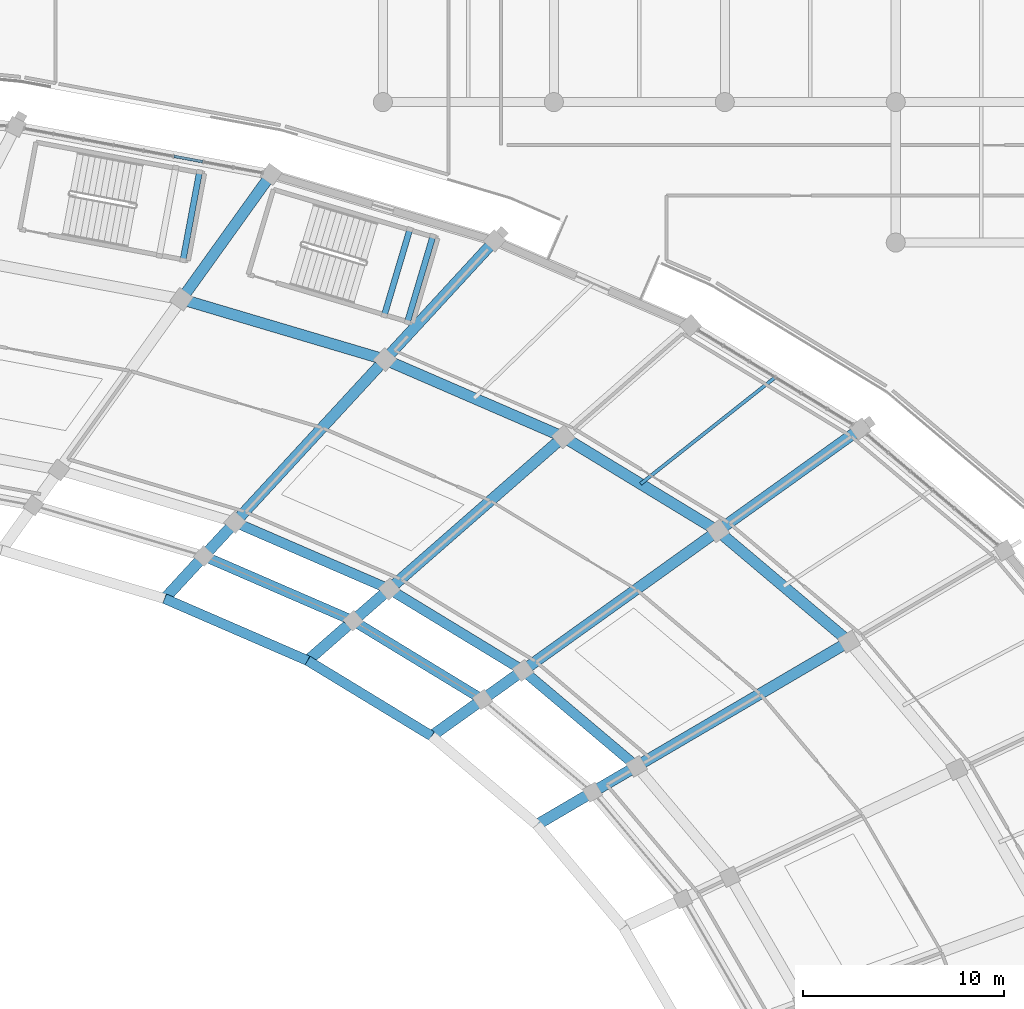
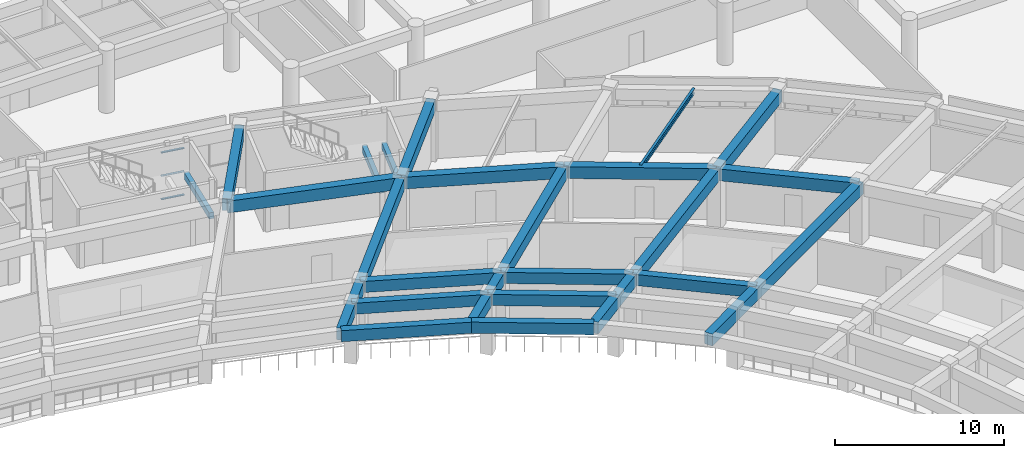
# One storey, part 71 of 145: 22 beams, 3 members, 1 element without a shape of its own.
"""IFC4 building model written with IfcOpenShell, lengths in metres."""

from ifc_helpers import new_model, si_unit, direction, frame, origin, origin_2d, place, context, subcontext, project, spatial, rectangle, i_section, extrude, material, layer, layer_set, material_profile, profile_set, type_object, element, aggregate, save


model = new_model("IFC4")

# Units and contexts
model_context = context("Model", 3, precision=1e-05, world=origin(), true_north=direction((0.0, 1.0)))
body_context = subcontext(model_context, "Body", "Model", "MODEL_VIEW")
ifc_project = project(units=[si_unit("LENGTHUNIT", "METRE"), si_unit("AREAUNIT", "SQUARE_METRE"), si_unit("VOLUMEUNIT", "CUBIC_METRE"), si_unit("PLANEANGLEUNIT", "RADIAN"), si_unit("MASSUNIT", "GRAM", prefix="KILO")], contexts=[model_context])

# Site, building, storey
site_placement = place(None, origin())
site = spatial("IfcSite", under=ifc_project, at=site_placement, CompositionType="ELEMENT")
building_placement = place(site_placement, origin())
building = spatial("IfcBuilding", under=site, at=building_placement, Name="Mphavela Belvedere Stadium", CompositionType="ELEMENT")
storey_placement = place(building_placement, frame((0.0, 0.0, 10.199951171875)))
storey = spatial("IfcBuildingStorey", under=building, at=storey_placement, Name="L02", CompositionType="ELEMENT", Elevation=10.199951171875)

# Beams
ifc_material_1 = material(Name="Steel S355", Category="steel")
ifc_material_profile_1 = material_profile(ifc_material_1, i_section(OverallWidth=0.169921875, OverallDepth=0.360107421875, WebThickness=0.008056640625, FlangeThickness=0.0126953125, at=origin_2d()), Name="IPE 360")
ifc_profile_set_1 = profile_set([ifc_material_profile_1], Name="Steel S355")
beam_type_1 = type_object("IfcBeamType", Name="BM-JOIST-IPE360", PredefinedType="JOIST", material=ifc_profile_set_1)
beam_1_placement = place(storey_placement, frame((183.210693359375, 140.97412109375, 4.070068359375), z_axis=(0.784195537739, 0.620513785979, 0.0), x_axis=(-0.620513785979, 0.784195537739, 0.0)))
element("IfcBeam", 1, at=beam_1_placement, inside=storey, type_object=beam_type_1, Name="Concourse floor joist L02-07", PredefinedType="JOIST", context=body_context, shape_type="SweptSolid", body=[
    extrude(i_section(OverallWidth=0.169921875, OverallDepth=0.360107421875, WebThickness=0.008056640625, FlangeThickness=0.0126953125, at=origin_2d()), origin(), (0.0, 0.0, 1.0), 8.56298828125),
])
ifc_material_2 = material(Name="Concrete C40/50", Category="concrete")
ifc_material_profile_2 = material_profile(ifc_material_2, rectangle(XDim=0.300048828125, YDim=0.449951171875, at=origin_2d()), Name="RC 300x450")
ifc_profile_set_2 = profile_set([ifc_material_profile_2], Name="Concrete C40/50")
beam_type_2 = type_object("IfcBeamType", Name="BM-RC300x450", PredefinedType="BEAM", material=ifc_profile_set_2)
beam_2_placement = place(storey_placement, frame((170.44189453125, 149.372802734375, 1.824951171875), z_axis=(0.28454574359, 0.95866246396, 0.0), x_axis=(-0.95866246396, 0.28454574359, 0.0)))
element("IfcBeam", 2, at=beam_2_placement, inside=storey, type_object=beam_type_2, Name="Core P01 landing trimmer beam L02-1", PredefinedType="BEAM", context=body_context, shape_type="SweptSolid", body=[
    extrude(rectangle(XDim=0.300048828125, YDim=0.449951171875, at=origin_2d()), origin(), (0.0, 0.0, 1.0), 4.47021484375),
])
beam_3_placement = place(storey_placement, frame((171.59228515625, 149.031494140625, 1.824951171875), z_axis=(0.28456064248, 0.958658041614, 0.0), x_axis=(-0.958658041614, 0.28456064248, 0.0)))
element("IfcBeam", 3, at=beam_3_placement, inside=storey, type_object=beam_type_2, Name="Core P01 landing trimmer beam L02-2", PredefinedType="BEAM", context=body_context, shape_type="SweptSolid", body=[
    extrude(rectangle(XDim=0.300048828125, YDim=0.449951171875, at=origin_2d()), origin(), (0.0, 0.0, 1.0), 4.469970703125),
])
beam_4_placement = place(storey_placement, frame((160.4130859375, 152.12060546875, 1.824951171875), z_axis=(0.183084705806, 0.983097141945, 0.0), x_axis=(-0.983097141945, 0.183084705806, 0.0)))
element("IfcBeam", 4, at=beam_4_placement, inside=storey, type_object=beam_type_2, Name="Core P02 landing trimmer beam L02-2", PredefinedType="BEAM", context=body_context, shape_type="SweptSolid", body=[
    extrude(rectangle(XDim=0.300048828125, YDim=0.449951171875, at=origin_2d()), origin(), (0.0, 0.0, 1.0), 4.4697265625),
])
ifc_material_3 = material(Name="Concrete C40/50", Category="concrete")
ifc_material_profile_3 = material_profile(ifc_material_3, rectangle(XDim=0.5, YDim=0.800048828125, at=origin_2d()), Name="RC 500x800")
ifc_profile_set_3 = profile_set([ifc_material_profile_3], Name="Concrete C40/50")
beam_type_3 = type_object("IfcBeamType", Name="BM-RC500x800", PredefinedType="BEAM", material=ifc_profile_set_3)
beam_5_placement = place(storey_placement, frame((183.01171875, 126.901611328125, 3.85009765625), z_axis=(-0.764257451296, 0.644911271523, 0.0), x_axis=(-0.644911271523, -0.764257451296, 0.0)))
element("IfcBeam", 5, at=beam_5_placement, inside=storey, type_object=beam_type_3, Name="Circumferential girder L02 R2-06", PredefinedType="BEAM", context=body_context, shape_type="SweptSolid", body=[
    extrude(rectangle(XDim=0.5, YDim=0.800048828125, at=origin_2d()), origin(), (0.0, 0.0, 1.0), 7.4033203125),
])
beam_6_placement = place(storey_placement, frame((175.33740234375, 130.2314453125, 3.85009765625), z_axis=(-0.854325951403, 0.51973759606, 0.0), x_axis=(-0.51973759606, -0.854325951403, 0.0)))
element("IfcBeam", 6, at=beam_6_placement, inside=storey, type_object=beam_type_3, Name="Circumferential girder L02 R1-07", PredefinedType="BEAM", context=body_context, shape_type="SweptSolid", body=[
    extrude(rectangle(XDim=0.5, YDim=0.800048828125, at=origin_2d()), origin(), (0.0, 0.0, 1.0), 7.5478515625),
])
beam_7_placement = place(storey_placement, frame((177.353759765625, 131.676025390625, 3.85009765625), z_axis=(-0.854328477138, 0.519733444326, 0.0), x_axis=(-0.519733444326, -0.854328477138, 0.0)))
element("IfcBeam", 7, at=beam_7_placement, inside=storey, type_object=beam_type_3, Name="Circumferential girder L02 R2-07", PredefinedType="BEAM", context=body_context, shape_type="SweptSolid", body=[
    extrude(rectangle(XDim=0.5, YDim=0.800048828125, at=origin_2d()), origin(), (0.0, 0.0, 1.0), 7.800048828125),
])
beam_8_placement = place(storey_placement, frame((168.88916015625, 134.154296875, 3.85009765625), z_axis=(-0.917503251148, 0.397728279273, 0.0), x_axis=(-0.397728279273, -0.917503251148, 0.0)))
element("IfcBeam", 8, at=beam_8_placement, inside=storey, type_object=beam_type_3, Name="Circumferential girder L02 R1-08", PredefinedType="BEAM", context=body_context, shape_type="SweptSolid", body=[
    extrude(rectangle(XDim=0.5, YDim=0.800048828125, at=origin_2d()), origin(), (0.0, 0.0, 1.0), 8.107666015625),
])
beam_9_placement = place(storey_placement, frame((170.68994140625, 135.72998046875, 3.85009765625), z_axis=(-0.917495728928, 0.397745631526, 0.0), x_axis=(-0.397745631526, -0.917495728928, 0.0)))
element("IfcBeam", 9, at=beam_9_placement, inside=storey, type_object=beam_type_3, Name="Circumferential girder L02 R2-08", PredefinedType="BEAM", context=body_context, shape_type="SweptSolid", body=[
    extrude(rectangle(XDim=0.5, YDim=0.800048828125, at=origin_2d()), origin(), (0.0, 0.0, 1.0), 8.37841796875),
])
beam_10_placement = place(storey_placement, frame((172.798583984375, 128.412353515625, 3.85009765625), z_axis=(-0.854327633962, 0.519734830321, 0.0), x_axis=(-0.519734830321, -0.854327633962, 0.0)))
element("IfcBeam", 10, at=beam_10_placement, inside=storey, type_object=beam_type_3, Name="Upper tier front sightline ring beam 07", PredefinedType="BEAM", context=body_context, shape_type="SweptSolid", body=[
    extrude(rectangle(XDim=0.5, YDim=0.800048828125, at=origin_2d()), origin(), (0.0, 0.0, 1.0), 7.230224609375),
])
beam_11_placement = place(storey_placement, frame((166.62158203125, 132.170166015625, 3.85009765625), z_axis=(-0.917506303716, 0.397721237353, 0.0), x_axis=(-0.397721237353, -0.917506303716, 0.0)))
element("IfcBeam", 11, at=beam_11_placement, inside=storey, type_object=beam_type_3, Name="Upper tier front sightline ring beam 08", PredefinedType="BEAM", context=body_context, shape_type="SweptSolid", body=[
    extrude(rectangle(XDim=0.5, YDim=0.800048828125, at=origin_2d()), origin(), (0.0, 0.0, 1.0), 7.766357421875),
])
ifc_material_4 = material(Name="Concrete C40/50", Category="concrete")
ifc_material_profile_4 = material_profile(ifc_material_4, rectangle(XDim=0.550048828125, YDim=0.85009765625, at=origin_2d()), Name="RC 550x850")
ifc_profile_set_4 = profile_set([ifc_material_profile_4], Name="Concrete C40/50")
beam_type_4 = type_object("IfcBeamType", Name="BM-RC550x850", PredefinedType="BEAM", material=ifc_profile_set_4)
beam_12_placement = place(storey_placement, frame((193.600341796875, 133.11376953125, 3.824951171875), z_axis=(-0.764263355392, 0.644904274761, 0.0), x_axis=(-0.644904274761, -0.764263355392, 0.0)))
element("IfcBeam", 12, at=beam_12_placement, inside=storey, type_object=beam_type_4, Name="Circumferential girder L02 R3-06", PredefinedType="BEAM", context=body_context, shape_type="SweptSolid", body=[
    extrude(rectangle(XDim=0.550048828125, YDim=0.85009765625, at=origin_2d()), origin(), (0.0, 0.0, 1.0), 8.55615234375),
])
beam_13_placement = place(storey_placement, frame((187.061279296875, 138.631591796875, 3.824951171875), z_axis=(-0.854315160357, 0.519755333579, 0.0), x_axis=(-0.519755333579, -0.854315160357, 0.0)))
element("IfcBeam", 13, at=beam_13_placement, inside=storey, type_object=beam_type_4, Name="Circumferential girder L02 R3-07", PredefinedType="BEAM", context=body_context, shape_type="SweptSolid", body=[
    extrude(rectangle(XDim=0.550048828125, YDim=0.85009765625, at=origin_2d()), origin(), (0.0, 0.0, 1.0), 9.014404296875),
])
beam_14_placement = place(storey_placement, frame((187.061279296875, 138.631591796875, 3.824951171875), z_axis=(0.812882024932, 0.582428376319, 0.0), x_axis=(-0.582428376319, 0.812882024932, 0.0)))
element("IfcBeam", 14, at=beam_14_placement, inside=storey, type_object=beam_type_4, Name="Radial concourse girder L02 R3R4-07", PredefinedType="BEAM", context=body_context, shape_type="SweptSolid", body=[
    extrude(rectangle(XDim=0.550048828125, YDim=0.85009765625, at=origin_2d()), origin(), (0.0, 0.0, 1.0), 8.727294921875),
])
beam_15_placement = place(storey_placement, frame((179.360107421875, 143.31689453125, 3.824951171875), z_axis=(-0.917501650019, 0.397731972832, 0.0), x_axis=(-0.397731972832, -0.917501650019, 0.0)))
element("IfcBeam", 15, at=beam_15_placement, inside=storey, type_object=beam_type_4, Name="Circumferential girder L02 R3-08", PredefinedType="BEAM", context=body_context, shape_type="SweptSolid", body=[
    extrude(rectangle(XDim=0.550048828125, YDim=0.85009765625, at=origin_2d()), origin(), (0.0, 0.0, 1.0), 9.6826171875),
])
beam_16_placement = place(storey_placement, frame((170.476318359375, 147.16796875, 3.824951171875), z_axis=(-0.958655230784, 0.284570111731, 0.0), x_axis=(-0.284570111731, -0.958655230784, 0.0)))
element("IfcBeam", 16, at=beam_16_placement, inside=storey, type_object=beam_type_4, Name="Circumferential girder L02 R3-09", PredefinedType="BEAM", context=body_context, shape_type="SweptSolid", body=[
    extrude(rectangle(XDim=0.550048828125, YDim=0.85009765625, at=origin_2d()), origin(), (0.0, 0.0, 1.0), 10.57568359375),
])
beam_17_placement = place(storey_placement, frame((170.476318359375, 147.16796875, 3.824951171875), z_axis=(0.67784325477, 0.735206448532, 0.0), x_axis=(-0.735206448532, 0.67784325477, 0.0)))
element("IfcBeam", 17, at=beam_17_placement, inside=storey, type_object=beam_type_4, Name="Radial concourse girder L02 R3R4-09", PredefinedType="BEAM", context=body_context, shape_type="SweptSolid", body=[
    extrude(rectangle(XDim=0.550048828125, YDim=0.85009765625, at=origin_2d()), origin(), (0.0, 0.0, 1.0), 8.056640625),
])
beam_18_placement = place(storey_placement, frame((160.337890625, 150.177490234375, 3.824951171875), z_axis=(0.583043812448, 0.812440713385, 0.0), x_axis=(-0.812440713385, 0.583043812448, 0.0)))
element("IfcBeam", 18, at=beam_18_placement, inside=storey, type_object=beam_type_4, Name="Radial concourse girder L02 R3R4-10", PredefinedType="BEAM", context=body_context, shape_type="SweptSolid", body=[
    extrude(rectangle(XDim=0.550048828125, YDim=0.85009765625, at=origin_2d()), origin(), (0.0, 0.0, 1.0), 7.6552734375),
])
beam_19_placement = place(storey_placement, frame((178.043212890625, 123.986572265625, 3.824951171875), z_axis=(0.862516477439, 0.506028977575, 0.0), x_axis=(-0.506028977575, 0.862516477439, 0.0)))
element("IfcBeam", 19, at=beam_19_placement, inside=storey, type_object=beam_type_4, Name="Upper tier box-front outrigger girder 06", PredefinedType="BEAM", context=body_context, shape_type="SweptSolid", body=[
    extrude(rectangle(XDim=0.550048828125, YDim=0.85009765625, at=origin_2d()), origin(), (0.0, 0.0, 1.0), 18.036865234375),
])
beam_20_placement = place(storey_placement, frame((172.798583984375, 128.412353515625, 3.824951171875), z_axis=(0.812880808861, 0.582430073559, 0.0), x_axis=(-0.582430073559, 0.812880808861, 0.0)))
element("IfcBeam", 20, at=beam_20_placement, inside=storey, type_object=beam_type_4, Name="Upper tier box-front outrigger girder 07", PredefinedType="BEAM", context=body_context, shape_type="SweptSolid", body=[
    extrude(rectangle(XDim=0.550048828125, YDim=0.85009765625, at=origin_2d()), origin(), (0.0, 0.0, 1.0), 17.5458984375),
])
beam_21_placement = place(storey_placement, frame((166.62158203125, 132.170166015625, 3.824951171875), z_axis=(0.752561505429, 0.65852196664, 0.0), x_axis=(-0.65852196664, 0.752561505429, 0.0)))
element("IfcBeam", 21, at=beam_21_placement, inside=storey, type_object=beam_type_4, Name="Upper tier box-front outrigger girder 08", PredefinedType="BEAM", context=body_context, shape_type="SweptSolid", body=[
    extrude(rectangle(XDim=0.550048828125, YDim=0.85009765625, at=origin_2d()), origin(), (0.0, 0.0, 1.0), 16.927001953125),
])
beam_22_placement = place(storey_placement, frame((159.495849609375, 135.259033203125, 3.824951171875), z_axis=(0.6778668467, 0.73518469662, 0.0), x_axis=(-0.73518469662, 0.6778668467, 0.0)))
element("IfcBeam", 22, at=beam_22_placement, inside=storey, type_object=beam_type_4, Name="Upper tier box-front outrigger girder 09", PredefinedType="BEAM", context=body_context, shape_type="SweptSolid", body=[
    extrude(rectangle(XDim=0.550048828125, YDim=0.85009765625, at=origin_2d()), origin(), (0.0, 0.0, 1.0), 16.198486328125),
])

# Curtain wall, members
ifc_material_5 = material(Name="Anodised bronze unitised curtain wall framing")
ifc_layer = layer(ifc_material_5, 0.199951171875)
ifc_layer_set = layer_set([ifc_layer], Name="Anodised bronze unitised curtain wall framing")
curtain_wall_type = type_object("IfcCurtainWallType", Name="CW-UNIT-05", PredefinedType="USERDEFINED", material=ifc_layer_set)
curtain_wall_placement = place(storey_placement, origin())
curtain_wall = element("IfcCurtainWall", 23, at=curtain_wall_placement, inside=storey, type_object=curtain_wall_type, Name="Belvedere colonnade curtain wall L02-10", ObjectType="UNITISED CURTAIN WALL", PredefinedType="USERDEFINED")
ifc_material_6 = material(Name="Anodised bronze extruded aluminium", Category="aluminium")
ifc_material_profile_5 = material_profile(ifc_material_6, rectangle(XDim=0.139892578125, YDim=0.06005859375, at=origin_2d()), Name="CW-TRN 140x60")
ifc_profile_set_5 = profile_set([ifc_material_profile_5], Name="Anodised bronze extruded aluminium")
member_type = type_object("IfcMemberType", Name="CWT-140x60", PredefinedType="USERDEFINED", material=ifc_profile_set_5)
member_1_placement = place(storey_placement, frame((161.3916015625, 157.031982421875, 0.030029296875), z_axis=(-0.983108977499, 0.18302114184, 0.0), x_axis=(-0.18302114184, -0.983108977499, 0.0)))
member_1 = element("IfcMember", 24, at=member_1_placement, type_object=member_type, Name="CW-05 transom 3.1", ObjectType="TRANSOM", PredefinedType="USERDEFINED", context=body_context, shape_type="SweptSolid", body=[
    extrude(rectangle(XDim=0.139892578125, YDim=0.06005859375, at=origin_2d()), origin(), (0.0, 0.0, 1.0), 1.4541015625),
])
member_2_placement = place(storey_placement, frame((161.3916015625, 157.031982421875, 1.7099609375), z_axis=(-0.983108977499, 0.18302114184, 0.0), x_axis=(-0.18302114184, -0.983108977499, 0.0)))
member_2 = element("IfcMember", 25, at=member_2_placement, type_object=member_type, Name="CW-05 transom 3.2", ObjectType="TRANSOM", PredefinedType="USERDEFINED", context=body_context, shape_type="SweptSolid", body=[
    extrude(rectangle(XDim=0.139892578125, YDim=0.06005859375, at=origin_2d()), origin(), (0.0, 0.0, 1.0), 1.4541015625),
])
member_3_placement = place(storey_placement, frame((161.3916015625, 157.031982421875, 3.39013671875), z_axis=(-0.983108977499, 0.18302114184, 0.0), x_axis=(-0.18302114184, -0.983108977499, 0.0)))
member_3 = element("IfcMember", 26, at=member_3_placement, type_object=member_type, Name="CW-05 transom 3.3", ObjectType="TRANSOM", PredefinedType="USERDEFINED", context=body_context, shape_type="SweptSolid", body=[
    extrude(rectangle(XDim=0.139892578125, YDim=0.06005859375, at=origin_2d()), origin(), (0.0, 0.0, 1.0), 1.4541015625),
])
aggregate(curtain_wall, [member_1, member_2, member_3])

save(model, "model.ifc")
